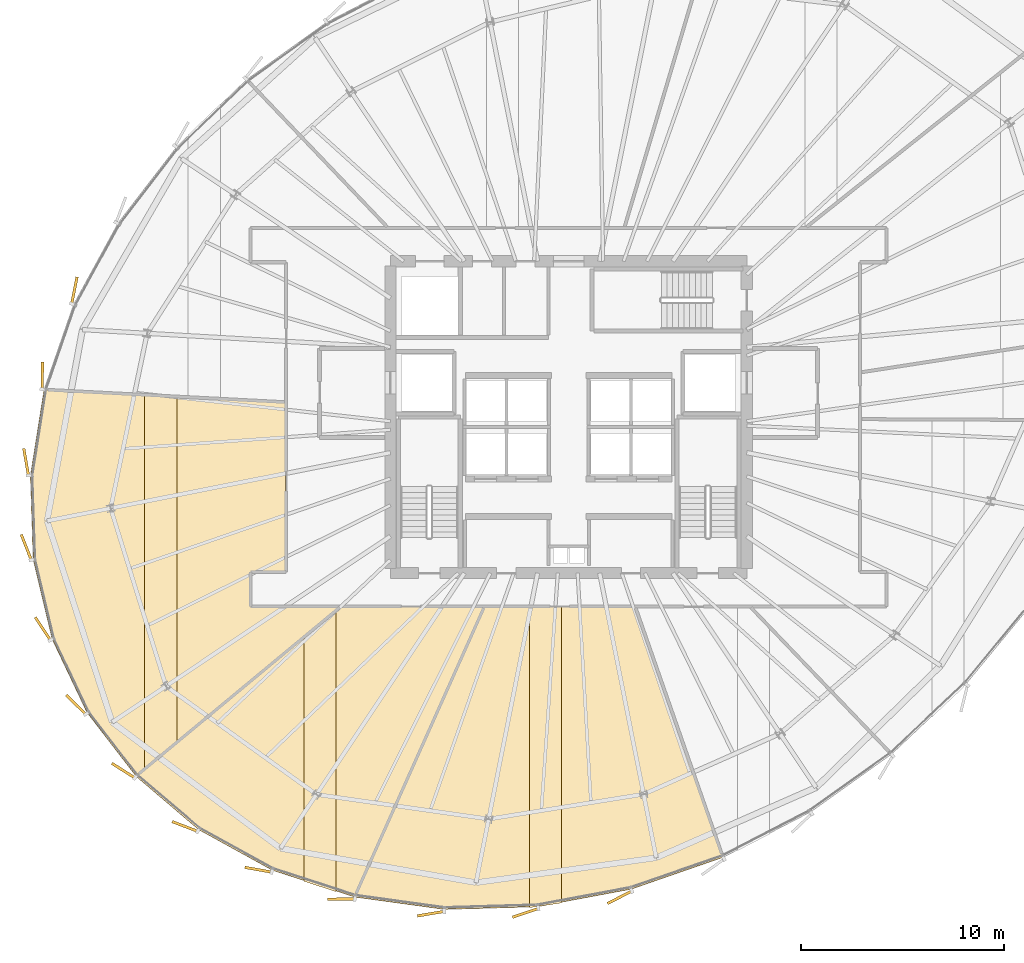
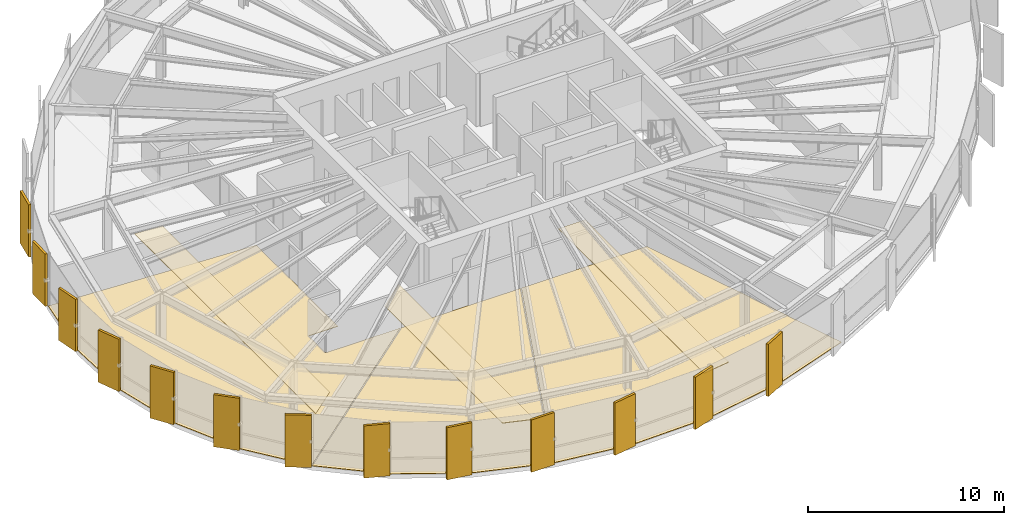
# One storey, part 29 of 32: 19 coverings.
"""IFC4 building model written with IfcOpenShell, lengths in metres."""

from ifc_helpers import new_model, si_unit, direction, frame, origin, origin_2d, place, context, subcontext, project, spatial, polyline, rectangle, outline, extrude, source, transform, mapped, material, layer, layer_set, type_object, element, save


model = new_model("IFC4")

# Units and contexts
model_context = context("Model", 3, precision=1e-05, world=origin(), true_north=direction((0.0, 1.0)))
body_context = subcontext(model_context, "Body", "Model", "MODEL_VIEW")
ifc_project = project(units=[si_unit("LENGTHUNIT", "METRE"), si_unit("AREAUNIT", "SQUARE_METRE"), si_unit("VOLUMEUNIT", "CUBIC_METRE"), si_unit("PLANEANGLEUNIT", "RADIAN"), si_unit("MASSUNIT", "GRAM", prefix="KILO"), si_unit("THERMODYNAMICTEMPERATUREUNIT", "KELVIN")], contexts=[model_context])

# Site, building, storey
site_placement = place(None, origin())
site = spatial("IfcSite", under=ifc_project, at=site_placement, CompositionType="ELEMENT")
building_placement = place(site_placement, origin())
building = spatial("IfcBuilding", under=site, at=building_placement, Name="Kethvar Cultural Tower", CompositionType="ELEMENT")
storey_placement = place(building_placement, frame((0.0, 0.0, 160.75)))
storey = spatial("IfcBuildingStorey", under=building, at=storey_placement, Name="L41", CompositionType="ELEMENT", Elevation=160.75)

# Coverings
ifc_material_1 = material(Name="Acoustic Mineral Fibre Ceiling")
ifc_layer_1 = layer(ifc_material_1, 0.0400390625, Name="Acoustic Mineral Fibre Ceiling")
ifc_layer_set_1 = layer_set([ifc_layer_1], Name="Acoustic Mineral Fibre Ceiling (40 mm)")
covering_type_1 = type_object("IfcCoveringType", Name="CV-ACOUSTIC-CEIL", PredefinedType="CEILING", material=ifc_layer_set_1)
covering_1_placement = place(storey_placement, frame((0.0, 0.0, 2.889892578125)))
element("IfcCovering", 1, at=covering_1_placement, inside=storey, type_object=covering_type_1, Name="L41 Room 01 Acoustic Ceiling Panel", PredefinedType="CEILING", context=body_context, shape_type="SweptSolid", body=[
    extrude(outline(polyline([(35.31201171875, 18.280029296875), (35.31201171875, 4.367919921875), (33.721923828125, 4.884521484375), (33.721923828125, 16.958740234375), (35.31201171875, 18.280029296875)])), origin(), (0.0, 0.0, 1.0), 0.0400390625),
])
covering_2_placement = place(storey_placement, frame((0.0, 0.0, 2.889892578125)))
element("IfcCovering", 2, at=covering_2_placement, inside=storey, type_object=covering_type_1, Name="L41 Room 02 Acoustic Ceiling Panel", PredefinedType="CEILING", context=body_context, shape_type="SweptSolid", body=[
    extrude(outline(polyline([(46.45361328125, 3.811767578125), (44.863525390625, 3.576904296875), (44.863525390625, 18.469970703125), (46.45361328125, 18.469970703125), (46.45361328125, 3.811767578125)])), origin(), (0.0, 0.0, 1.0), 0.0400390625),
])
covering_3_placement = place(storey_placement, frame((0.0, 0.0, 2.889892578125)))
element("IfcCovering", 3, at=covering_3_placement, inside=storey, type_object=covering_type_1, Name="L41 Room 10 Acoustic Ceiling Panel", PredefinedType="CEILING", context=body_context, shape_type="SweptSolid", body=[
    extrude(outline(polyline([(27.45654296875, 28.841552734375), (27.45654296875, 11.700439453125), (25.86669921875, 10.37939453125), (25.86669921875, 28.925537109375), (27.45654296875, 28.841552734375)])), origin(), (0.0, 0.0, 1.0), 0.0400390625),
])
ifc_material_2 = material(Name="Architectural Oak Timber", Category="wood")
ifc_layer_2 = layer(ifc_material_2, 0.02490234375, Name="Architectural Oak Timber", Category="wood")
ifc_layer_set_2 = layer_set([ifc_layer_2], Name="Architectural Oak Timber (25 mm)")
covering_type_2 = type_object("IfcCoveringType", Name="CV-OAK-FLOOR", PredefinedType="FLOORING", material=ifc_layer_set_2)
covering_4_placement = place(storey_placement, origin())
element("IfcCovering", 4, at=covering_4_placement, inside=storey, type_object=covering_type_2, Name="L41 Room 01 Floor Finish", PredefinedType="FLOORING", context=body_context, shape_type="SweptSolid", body=[
    extrude(outline(polyline([(32.1728515625, 5.4296875), (28.53369140625, 7.43603515625), (25.46630859375, 10.046630859375), (35.55517578125, 18.429931640625), (42.61083984375, 18.429931640625), (36.2412109375, 4.108154296875), (32.1728515625, 5.4296875)])), origin(), (0.0, 0.0, 1.0), 0.02490234375),
])
covering_5_placement = place(storey_placement, origin())
element("IfcCovering", 5, at=covering_5_placement, inside=storey, type_object=covering_type_2, Name="L41 Room 02 Floor Finish", PredefinedType="FLOORING", context=body_context, shape_type="SweptSolid", body=[
    extrude(outline(polyline([(54.4169921875, 6.06298828125), (49.890380859375, 4.494384765625), (45.251953125, 3.6279296875), (40.660888671875, 3.496337890625), (36.28125, 4.099609375), (42.654541015625, 18.429931640625), (50.0712890625, 18.429931640625), (54.4169921875, 6.06298828125)])), origin(), (0.0, 0.0, 1.0), 0.02490234375),
])
covering_6_placement = place(storey_placement, origin())
element("IfcCovering", 6, at=covering_6_placement, inside=storey, type_object=covering_type_2, Name="L41 Room 10 Floor Finish", PredefinedType="FLOORING", context=body_context, shape_type="SweptSolid", body=[
    extrude(outline(polyline([(23.014404296875, 13.22412109375), (21.301513671875, 16.830322265625), (20.36279296875, 20.769775390625), (20.2275390625, 24.923095703125), (20.896728515625, 29.14794921875), (32.830078125, 28.517578125), (32.830078125, 20.169921875), (31.0859375, 20.1640625), (31.080810546875, 18.444091796875), (35.492431640625, 18.429931640625), (25.4384765625, 10.075439453125), (23.014404296875, 13.22412109375)])), origin(), (0.0, 0.0, 1.0), 0.02490234375),
])
ifc_material_3 = material(Name="Extruded Architectural Terracotta", Category="masonry")
ifc_layer_3 = layer(ifc_material_3, 0.135009765625, Name="Extruded Architectural Terracotta", Category="masonry")
ifc_layer_set_3 = layer_set([ifc_layer_3], Name="Extruded Architectural Terracotta (135 mm)")
covering_type_3 = type_object("IfcCoveringType", Name="Terracotta Facade Fin FIN-02", PredefinedType="CLADDING", material=ifc_layer_set_3)
shared_shape = source(origin(), body_context, "Body", "SweptSolid", [
    extrude(rectangle(XDim=1.35009765625, YDim=0.135009765625, at=origin_2d()), origin(), (0.0, 0.0, 1.0), 3.260009765625),
])
for number, where, z_axis, x_axis, name in (
    (7, (22.39501953125, 34.060302734375, 0.02001953125), (0.0, 0.0, 1.0), (0.193549468051, 0.981090517443, 0.0), "L41 Vertical Terracotta Fin 3.2"),
    (8, (20.8125, 29.856201171875, 0.02001953125), (0.0, 0.0, 1.0), (0.017452406437, 0.999847695156, 0.0), "L41 Vertical Terracotta Fin 3.3"),
    (9, (20.01171875, 25.586669921875, 0.02001953125), (0.0, 0.0, 1.0), (-0.171413274698, 0.98519921298, 0.0), "L41 Vertical Terracotta Fin 3.4"),
    (10, (20.018798828125, 21.376953125, 0.02001953125), (0.0, 0.0, 1.0), (-0.364876784338, 0.931055815863, 0.0), "L41 Vertical Terracotta Fin 3.5"),
    (11, (20.83837890625, 17.352783203125, 0.02001953125), (0.0, 0.0, 1.0), (-0.55062644014, 0.834751773535, 0.0), "L41 Vertical Terracotta Fin 3.6"),
    (12, (22.4755859375, 13.606201171875, 0.02001953125), (0.0, 0.0, 1.0), (-0.714350554462, 0.699788028863, 0.0), "L41 Vertical Terracotta Fin 4.1"),
    (13, (24.8134765625, 10.34765625, 0.02001953125), (0.0, 0.0, 1.0), (-0.844327925502, 0.535826794979, 0.0), "L41 Vertical Terracotta Fin 4.2"),
    (14, (27.85302734375, 7.58984375, 0.02001953125), (0.0, 0.0, 1.0), (-0.934391133833, 0.356248802122, 0.0), "L41 Vertical Terracotta Fin 4.3"),
    (15, (31.4755859375, 5.452392578125, 0.02001953125), (0.0, 0.0, 1.0), (-0.984807753012, 0.173648177667, 0.0), "L41 Vertical Terracotta Fin 4.4"),
    (16, (35.566162109375, 4.00244140625, 0.02001953125), (0.0, 0.0, 1.0), (-0.9999961009, -0.002792523174, 0.0), "L41 Vertical Terracotta Fin 4.5"),
    (17, (39.99658203125, 3.283203125, 0.02001953125), (0.0, 0.0, 1.0), (-0.98587937025, -0.16745706111, 0.0), "L41 Vertical Terracotta Fin 4.6"),
    (18, (44.667236328125, 3.321533203125, 0.02001953125), (0.0, 0.0, 1.0), (-0.947879690069, -0.318628456287, 0.0), "L41 Vertical Terracotta Fin 5.1"),
    (19, (49.32080078125, 4.091796875, 0.02001953125), (0.0, 0.0, 1.0), (-0.890133283468, -0.455700271739, 0.0), "L41 Vertical Terracotta Fin 5.2"),
):
    element("IfcCovering", number, at=place(storey_placement, frame(where, z_axis=z_axis, x_axis=x_axis)), inside=storey, type_object=covering_type_3, Name=name, PredefinedType="CLADDING", context=body_context, shape_type="MappedRepresentation", body=[
        mapped(shared_shape, transform((0.0, 0.0, 0.0), scale=1.0)),
    ])

save(model, "model.ifc")
